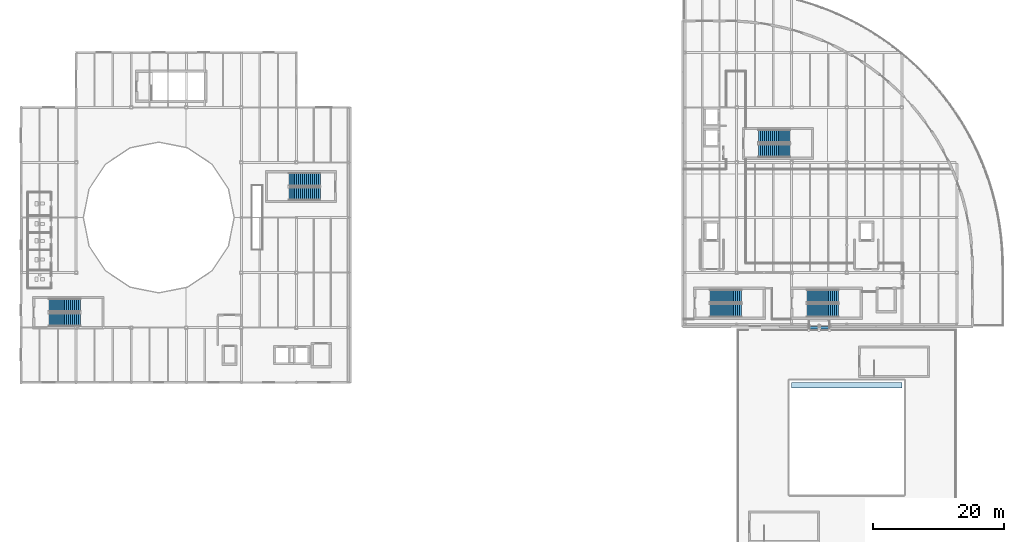
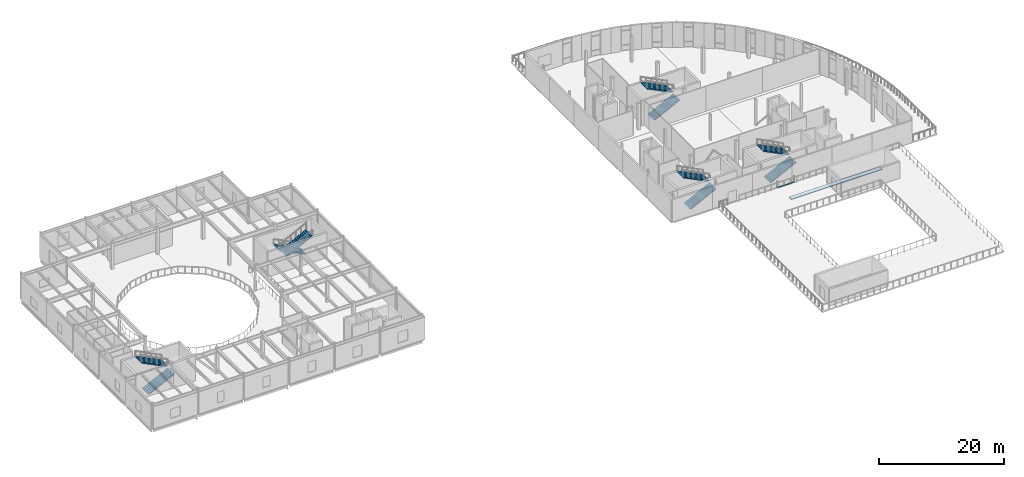
# One storey, part 38 of 57: 10 stair flights, 1 discrete accessory, 1 roof, 5 elements without a shape of their own.
"""IFC4 building model written with IfcOpenShell, lengths in metres."""

import ifcopenshell
import ifcopenshell.guid

model = None  # the IFC model being written
_history = None  # IfcOwnerHistory: only IFC2X3 demands one
_inside = {}  # id of a spatial element -> (the spatial element, [elements in it])
_under = {}  # id of a project, library or spatial element -> (it, [spatial elements below it])
_declared = {}  # id of a project -> (the project, [libraries it declares])
_typed = {}  # id of a type object -> (the type object, [elements of that type])
_made_of = {}  # id of a material, layer set ... -> (it, [elements and type objects made of it])


def new_model(schema):
    """Start an empty IFC model of exactly this schema.

    Asked for "IFC4X3", IfcOpenShell would pick the latest addendum, in which some entities
    have other attributes; the version numbers below select the first issue.
    IFC2X3 requires an IfcOwnerHistory on every rooted entity: one is made here for all.
    """
    global model, _history
    if schema == "IFC4X3":
        model = ifcopenshell.file(schema_version=(4, 3, 0, 0))
    else:
        model = ifcopenshell.file(schema=schema)
    _inside.clear()
    _under.clear()
    _declared.clear()
    _typed.clear()
    _made_of.clear()
    _history = None
    if model.schema == "IFC2X3":
        org = make("IfcOrganization", Name="unknown")
        user = make(
            "IfcPersonAndOrganization",
            ThePerson=make("IfcPerson", FamilyName="unknown"),
            TheOrganization=org,
        )
        app = make(
            "IfcApplication",
            ApplicationDeveloper=org,
            Version="unknown",
            ApplicationFullName="unknown",
            ApplicationIdentifier="unknown",
        )
        _history = make(
            "IfcOwnerHistory",
            OwningUser=user,
            OwningApplication=app,
            ChangeAction="ADDED",
            CreationDate=0,
        )
    return model


def make(cls, **values):
    """One entity of the class cls with the attributes given. An attribute that is None is left unset."""
    return model.create_entity(
        cls, **{name: value for name, value in values.items() if value is not None}
    )


def rooted(cls, **values):
    """An entity with a GlobalId (a new one), such as an element, a storey or a relation."""
    return make(cls, GlobalId=ifcopenshell.guid.new(), OwnerHistory=_history, **values)


def si_unit(unit_type, name, prefix=None):
    """IfcSIUnit, for example si_unit("LENGTHUNIT", "METRE", prefix="MILLI")."""
    return make("IfcSIUnit", UnitType=unit_type, Prefix=prefix, Name=name)


def assignment(units):
    """IfcUnitAssignment: the units of a project."""
    return None if units is None else make("IfcUnitAssignment", Units=units)


def point(xyz):
    """IfcCartesianPoint."""
    return None if xyz is None else make("IfcCartesianPoint", Coordinates=xyz)


def direction(xyz):
    """IfcDirection."""
    return None if xyz is None else make("IfcDirection", DirectionRatios=xyz)


def frame(location, z_axis=None, x_axis=None):
    """IfcAxis2Placement3D, a coordinate frame: its origin and axes. An axis left out is left unset."""
    return make(
        "IfcAxis2Placement3D",
        Location=point(location),
        Axis=direction(z_axis),
        RefDirection=direction(x_axis),
    )


def frame_2d(location, x_axis=None):
    """IfcAxis2Placement2D, a coordinate frame in the plane: its origin and x axis."""
    return make(
        "IfcAxis2Placement2D", Location=point(location), RefDirection=direction(x_axis)
    )


def origin():
    """The frame at (0, 0, 0) with its axes left unset."""
    return frame((0.0, 0.0, 0.0))


def origin_2d():
    """The frame at (0, 0) in the plane with its x axis left unset."""
    return frame_2d((0.0, 0.0))


def place(relative_to, where):
    """IfcLocalPlacement: puts the frame where relative to a parent placement (None: the world)."""
    return make(
        "IfcLocalPlacement", PlacementRelTo=relative_to, RelativePlacement=where
    )


def context(
    kind, dimensions, precision=None, world=None, true_north=None, identifier=None
):
    """IfcGeometricRepresentationContext, for example the 3D "Model" context."""
    return make(
        "IfcGeometricRepresentationContext",
        ContextIdentifier=identifier,
        ContextType=kind,
        CoordinateSpaceDimension=dimensions,
        Precision=precision,
        WorldCoordinateSystem=world,
        TrueNorth=true_north,
    )


def subcontext(parent, identifier, kind, view, scale=None):
    """IfcGeometricRepresentationSubContext, for example "Body" below "Model"."""
    return make(
        "IfcGeometricRepresentationSubContext",
        ContextIdentifier=identifier,
        ContextType=kind,
        ParentContext=parent,
        TargetScale=scale,
        TargetView=view,
    )


def project(units=None, contexts=None):
    """IfcProject with its units and contexts."""
    return rooted(
        "IfcProject",
        Name="project",
        RepresentationContexts=contexts,
        UnitsInContext=assignment(units),
    )


def spatial(cls, under=None, at=None, **own):
    """A site, building, storey or space (cls), placed at a placement, below another one or the project."""
    s = rooted(cls, ObjectPlacement=at, **own)
    if under is not None:
        _under.setdefault(under.id(), (under, []))[1].append(s)
    return s


def polyline(points):
    """IfcPolyline through the points."""
    return make("IfcPolyline", Points=[point(p) for p in points])


def profile(cls, at=None, kind="AREA", **sizes):
    """A parametric profile (cls). Its sizes go by their IFC names, for example OverallWidth=200.0."""
    return make(cls, ProfileType=kind, Position=at, **sizes)


def rectangle(**sizes):
    """IfcRectangleProfileDef."""
    return profile("IfcRectangleProfileDef", **sizes)


def outline(outer, holes=None, kind="AREA"):
    """IfcArbitraryClosedProfileDef: a profile drawn as a closed curve; with holes, ...WithVoids."""
    if holes is None:
        return make("IfcArbitraryClosedProfileDef", ProfileType=kind, OuterCurve=outer)
    return make(
        "IfcArbitraryProfileDefWithVoids",
        ProfileType=kind,
        OuterCurve=outer,
        InnerCurves=holes,
    )


def extrude(swept, where, along, depth):
    """IfcExtrudedAreaSolid: the profile swept, set in the frame where, extruded along a direction by depth."""
    return make(
        "IfcExtrudedAreaSolid",
        SweptArea=swept,
        Position=where,
        ExtrudedDirection=direction(along),
        Depth=depth,
    )


def shape(context_of_items, identifier, shape_type, items):
    """IfcShapeRepresentation: the items that make up one representation, for example the "Body"."""
    return make(
        "IfcShapeRepresentation",
        ContextOfItems=context_of_items,
        RepresentationIdentifier=identifier,
        RepresentationType=shape_type,
        Items=items,
    )


def material(Name=None, Category=None):
    """IfcMaterial."""
    return make("IfcMaterial", Name=Name, Category=Category)


def layer(
    of_material, thickness, ventilated=None, Name=None, Category=None, Priority=None
):
    """IfcMaterialLayer: one layer of a wall or slab, of a material (None: an air gap)."""
    return make(
        "IfcMaterialLayer",
        Material=of_material,
        LayerThickness=thickness,
        IsVentilated=ventilated,
        Name=Name,
        Category=Category,
        Priority=Priority,
    )


def layer_set(layers, Name=None):
    """IfcMaterialLayerSet."""
    return make("IfcMaterialLayerSet", MaterialLayers=layers, LayerSetName=Name)


def made_of(thing, what):
    """Note that an element or type object is made of a material, layer set ...; save() writes the relation."""
    if what is not None:
        _made_of.setdefault(what.id(), (what, []))[1].append(thing)
    return thing


def type_object(cls, material=None, **own):
    """A type object (cls), such as IfcWallType, which elements share."""
    return made_of(rooted(cls, **own), material)


def element(
    cls,
    number,
    at=None,
    inside=None,
    cuts=None,
    type_object=None,
    material=None,
    context=None,
    identifier="Body",
    shape_type=None,
    held_by="IfcProductDefinitionShape",
    body=None,
    shapes=None,
    **own,
):
    """One element of the class cls, such as IfcWall. Its Tag is "e" and its number.

    at: its placement. inside: the storey or other place that contains it. cuts: it is an
    opening in that element (IfcRelVoidsElement). A single representation is given by context,
    identifier, shape_type and body (its items); several are given by shapes. held_by: the class
    of the entity that holds the representations. save() writes the other relations.
    """
    e = rooted(cls, Tag="e%d" % number, ObjectPlacement=at, **own)
    if body is not None:
        shapes = [shape(context, identifier, shape_type, body)]
    if shapes is not None:
        e.Representation = make(held_by, Representations=shapes)
    if inside is not None:
        _inside.setdefault(inside.id(), (inside, []))[1].append(e)
    if cuts is not None:
        rooted(
            "IfcRelVoidsElement", RelatingBuildingElement=cuts, RelatedOpeningElement=e
        )
    if type_object is not None:
        _typed.setdefault(type_object.id(), (type_object, []))[1].append(e)
    return made_of(e, material)


def aggregate(whole, parts):
    """IfcRelAggregates: a whole, such as a stair, and the parts it consists of."""
    return rooted("IfcRelAggregates", RelatingObject=whole, RelatedObjects=parts)


def save(model, path):
    """Write the relations noted so far, then the file.

    IfcRelAggregates (storeys below a building ...), IfcRelContainedInSpatialStructure (elements
    in a storey), IfcRelDefinesByType, IfcRelAssociatesMaterial and IfcRelDeclares: one each for
    every whole, place, type object, material and project.
    """
    for whole, parts in _under.values():
        aggregate(whole, parts)
    for where, things in _inside.values():
        rooted(
            "IfcRelContainedInSpatialStructure",
            RelatedElements=things,
            RelatingStructure=where,
        )
    for kind, things in _typed.values():
        rooted("IfcRelDefinesByType", RelatedObjects=things, RelatingType=kind)
    for what, things in _made_of.values():
        rooted("IfcRelAssociatesMaterial", RelatedObjects=things, RelatingMaterial=what)
    for by, libraries in _declared.values():
        rooted("IfcRelDeclares", RelatingContext=by, RelatedDefinitions=libraries)
    model.write(path)


model = new_model("IFC4")

# Units and contexts
model_context = context("Model", 3, precision=1e-05, world=origin(), true_north=direction((0.0, 1.0)))
body_context = subcontext(model_context, "Body", "Model", "MODEL_VIEW")
ifc_project = project(units=[si_unit("LENGTHUNIT", "METRE"), si_unit("AREAUNIT", "SQUARE_METRE"), si_unit("VOLUMEUNIT", "CUBIC_METRE"), si_unit("PLANEANGLEUNIT", "RADIAN"), si_unit("MASSUNIT", "GRAM", prefix="KILO"), si_unit("THERMODYNAMICTEMPERATUREUNIT", "KELVIN")], contexts=[model_context])

# Site, building, storey
site_placement = place(None, origin())
site = spatial("IfcSite", under=ifc_project, at=site_placement, CompositionType="ELEMENT")
building_placement = place(site_placement, origin())
building = spatial("IfcBuilding", under=site, at=building_placement, Name="Lustrewick Department Store", CompositionType="ELEMENT")
storey_placement = place(building_placement, frame((0.0, 0.0, 26.699951171875)))
storey = spatial("IfcBuildingStorey", under=building, at=storey_placement, Name="L06", CompositionType="ELEMENT", Elevation=26.699951171875)

# Stair, stair flights
ifc_material_1 = material(Name="Concrete C30", Category="concrete")
stair_type = type_object("IfcStairType", Name="ST-H51", PredefinedType="HALF_TURN_STAIR", material=ifc_material_1)
stair_1_placement = place(storey_placement, origin())
stair_1 = element("IfcStair", 1, at=stair_1_placement, inside=storey, type_object=stair_type, Name="L06 Smoke-Proof Exit Stair ST01", PredefinedType="HALF_TURN_STAIR")
stair_flight_type = type_object("IfcStairFlightType", Name="SF-H51", PredefinedType="STRAIGHT", material=ifc_material_1)
stair_flight_1_placement = place(storey_placement, frame((12.64990234375, 51.60009765625, 0.0), z_axis=(0.0, 0.0, 1.0), x_axis=(1.0, 0.0, 0.0)))
stair_flight_1 = element("IfcStairFlight", 2, at=stair_flight_1_placement, type_object=stair_flight_type, Name="ST-H51 flight 1", NumberOfRisers=17, NumberOfTreads=16, PredefinedType="STRAIGHT", RiserHeight=0.15, TreadLength=0.3, context=body_context, shape_type="SweptSolid", body=[
    extrude(outline(polyline([(0.0, 0.0), (0.0, 0.14990234375), (0.300048828125, 0.14990234375), (0.300048828125, 0.300048828125), (0.60009765625, 0.300048828125), (0.60009765625, 0.449951171875), (0.89990234375, 0.449951171875), (0.89990234375, 0.60009765625), (1.199951171875, 0.60009765625), (1.199951171875, 0.75), (1.5, 0.75), (1.5, 0.89990234375), (1.800048828125, 0.89990234375), (1.800048828125, 1.050048828125), (2.10009765625, 1.050048828125), (2.10009765625, 1.199951171875), (2.39990234375, 1.199951171875), (2.39990234375, 1.35009765625), (2.699951171875, 1.35009765625), (2.699951171875, 1.5), (3.0, 1.5), (3.0, 1.64990234375), (3.300048828125, 1.64990234375), (3.300048828125, 1.800048828125), (3.60009765625, 1.800048828125), (3.60009765625, 1.949951171875), (3.89990234375, 1.949951171875), (3.89990234375, 2.10009765625), (4.199951171875, 2.10009765625), (4.199951171875, 2.25), (4.5, 2.25), (4.5, 2.39990234375), (4.800048828125, 2.39990234375), (4.800048828125, 2.550048828125), (4.800048828125, 2.22119140625), (0.357666015625, 0.0), (0.0, 0.0)])), frame((0.0, 1.0, 0.0), z_axis=(0.0, -1.0, 0.0), x_axis=(1.0, 0.0, 0.0)), (0.0, 0.0, 1.0), 2.0),
])
stair_flight_2_placement = place(storey_placement, frame((17.449951171875, 53.800048828125, 2.550048828125), z_axis=(0.0, 0.0, 1.0), x_axis=(-1.0, 0.0, 0.0)))
stair_flight_2 = element("IfcStairFlight", 3, at=stair_flight_2_placement, type_object=stair_flight_type, Name="ST-H51 flight 2", NumberOfRisers=17, NumberOfTreads=16, PredefinedType="STRAIGHT", RiserHeight=0.15, TreadLength=0.3, context=body_context, shape_type="SweptSolid", body=[
    extrude(outline(polyline([(0.0, 0.0), (0.0, 0.14990234375), (0.300048828125, 0.14990234375), (0.300048828125, 0.300048828125), (0.60009765625, 0.300048828125), (0.60009765625, 0.449951171875), (0.89990234375, 0.449951171875), (0.89990234375, 0.60009765625), (1.199951171875, 0.60009765625), (1.199951171875, 0.75), (1.5, 0.75), (1.5, 0.89990234375), (1.800048828125, 0.89990234375), (1.800048828125, 1.050048828125), (2.10009765625, 1.050048828125), (2.10009765625, 1.199951171875), (2.39990234375, 1.199951171875), (2.39990234375, 1.35009765625), (2.699951171875, 1.35009765625), (2.699951171875, 1.5), (3.0, 1.5), (3.0, 1.64990234375), (3.300048828125, 1.64990234375), (3.300048828125, 1.800048828125), (3.60009765625, 1.800048828125), (3.60009765625, 1.949951171875), (3.89990234375, 1.949951171875), (3.89990234375, 2.10009765625), (4.199951171875, 2.10009765625), (4.199951171875, 2.25), (4.5, 2.25), (4.5, 2.39990234375), (4.800048828125, 2.39990234375), (4.800048828125, 2.550048828125), (4.800048828125, 2.22119140625), (0.357666015625, 0.0), (0.0, 0.0)])), frame((0.0, 1.0, 0.0), z_axis=(0.0, -1.0, 0.0), x_axis=(1.0, 0.0, 0.0)), (0.0, 0.0, 1.0), 2.0),
])
aggregate(stair_1, [stair_flight_1, stair_flight_2])

stair_2_placement = place(storey_placement, origin())
stair_2 = element("IfcStair", 4, at=stair_2_placement, inside=storey, type_object=stair_type, Name="L06 Smoke-Proof Exit Stair ST02", PredefinedType="HALF_TURN_STAIR")
stair_flight_3_placement = place(storey_placement, frame((54.050048828125, 73.0, 0.0), z_axis=(0.0, 0.0, 1.0), x_axis=(-1.0, 0.0, 0.0)))
stair_flight_3 = element("IfcStairFlight", 5, at=stair_flight_3_placement, type_object=stair_flight_type, Name="ST-H51 flight 1", NumberOfRisers=17, NumberOfTreads=16, PredefinedType="STRAIGHT", RiserHeight=0.15, TreadLength=0.3, context=body_context, shape_type="SweptSolid", body=[
    extrude(outline(polyline([(0.0, 0.0), (0.0, 0.14990234375), (0.300048828125, 0.14990234375), (0.300048828125, 0.300048828125), (0.60009765625, 0.300048828125), (0.60009765625, 0.449951171875), (0.89990234375, 0.449951171875), (0.89990234375, 0.60009765625), (1.199951171875, 0.60009765625), (1.199951171875, 0.75), (1.5, 0.75), (1.5, 0.89990234375), (1.800048828125, 0.89990234375), (1.800048828125, 1.050048828125), (2.10009765625, 1.050048828125), (2.10009765625, 1.199951171875), (2.39990234375, 1.199951171875), (2.39990234375, 1.35009765625), (2.699951171875, 1.35009765625), (2.699951171875, 1.5), (3.0, 1.5), (3.0, 1.64990234375), (3.300048828125, 1.64990234375), (3.300048828125, 1.800048828125), (3.60009765625, 1.800048828125), (3.60009765625, 1.949951171875), (3.89990234375, 1.949951171875), (3.89990234375, 2.10009765625), (4.199951171875, 2.10009765625), (4.199951171875, 2.25), (4.5, 2.25), (4.5, 2.39990234375), (4.800048828125, 2.39990234375), (4.800048828125, 2.550048828125), (4.800048828125, 2.22119140625), (0.357666015625, 0.0), (0.0, 0.0)])), frame((0.0, 1.0, 0.0), z_axis=(0.0, -1.0, 0.0), x_axis=(1.0, 0.0, 0.0)), (0.0, 0.0, 1.0), 2.0),
])
stair_flight_4_placement = place(storey_placement, frame((49.25, 70.800048828125, 2.550048828125), z_axis=(0.0, 0.0, 1.0), x_axis=(1.0, 0.0, 0.0)))
stair_flight_4 = element("IfcStairFlight", 6, at=stair_flight_4_placement, type_object=stair_flight_type, Name="ST-H51 flight 2", NumberOfRisers=17, NumberOfTreads=16, PredefinedType="STRAIGHT", RiserHeight=0.15, TreadLength=0.3, context=body_context, shape_type="SweptSolid", body=[
    extrude(outline(polyline([(0.0, 0.0), (0.0, 0.14990234375), (0.300048828125, 0.14990234375), (0.300048828125, 0.300048828125), (0.60009765625, 0.300048828125), (0.60009765625, 0.449951171875), (0.89990234375, 0.449951171875), (0.89990234375, 0.60009765625), (1.199951171875, 0.60009765625), (1.199951171875, 0.75), (1.5, 0.75), (1.5, 0.89990234375), (1.800048828125, 0.89990234375), (1.800048828125, 1.050048828125), (2.10009765625, 1.050048828125), (2.10009765625, 1.199951171875), (2.39990234375, 1.199951171875), (2.39990234375, 1.35009765625), (2.699951171875, 1.35009765625), (2.699951171875, 1.5), (3.0, 1.5), (3.0, 1.64990234375), (3.300048828125, 1.64990234375), (3.300048828125, 1.800048828125), (3.60009765625, 1.800048828125), (3.60009765625, 1.949951171875), (3.89990234375, 1.949951171875), (3.89990234375, 2.10009765625), (4.199951171875, 2.10009765625), (4.199951171875, 2.25), (4.5, 2.25), (4.5, 2.39990234375), (4.800048828125, 2.39990234375), (4.800048828125, 2.550048828125), (4.800048828125, 2.22119140625), (0.357666015625, 0.0), (0.0, 0.0)])), frame((0.0, 1.0, 0.0), z_axis=(0.0, -1.0, 0.0), x_axis=(1.0, 0.0, 0.0)), (0.0, 0.0, 1.0), 2.0),
])
aggregate(stair_2, [stair_flight_3, stair_flight_4])

stair_3_placement = place(storey_placement, origin())
stair_3 = element("IfcStair", 7, at=stair_3_placement, inside=storey, type_object=stair_type, Name="L06 Smoke-Proof Exit Stair ST09", PredefinedType="HALF_TURN_STAIR")
stair_flight_5_placement = place(storey_placement, frame((113.550048828125, 53.0, 0.0), z_axis=(0.0, 0.0, 1.0), x_axis=(1.0, 0.0, 0.0)))
stair_flight_5 = element("IfcStairFlight", 8, at=stair_flight_5_placement, type_object=stair_flight_type, Name="ST-H51 flight 1", NumberOfRisers=17, NumberOfTreads=16, PredefinedType="STRAIGHT", RiserHeight=0.15, TreadLength=0.3, context=body_context, shape_type="SweptSolid", body=[
    extrude(outline(polyline([(0.0, 0.0), (0.0, 0.14990234375), (0.300048828125, 0.14990234375), (0.300048828125, 0.300048828125), (0.60009765625, 0.300048828125), (0.60009765625, 0.449951171875), (0.89990234375, 0.449951171875), (0.89990234375, 0.60009765625), (1.199951171875, 0.60009765625), (1.199951171875, 0.75), (1.5, 0.75), (1.5, 0.89990234375), (1.800048828125, 0.89990234375), (1.800048828125, 1.050048828125), (2.10009765625, 1.050048828125), (2.10009765625, 1.199951171875), (2.39990234375, 1.199951171875), (2.39990234375, 1.35009765625), (2.699951171875, 1.35009765625), (2.699951171875, 1.5), (3.0, 1.5), (3.0, 1.64990234375), (3.300048828125, 1.64990234375), (3.300048828125, 1.800048828125), (3.60009765625, 1.800048828125), (3.60009765625, 1.949951171875), (3.89990234375, 1.949951171875), (3.89990234375, 2.10009765625), (4.199951171875, 2.10009765625), (4.199951171875, 2.25), (4.5, 2.25), (4.5, 2.39990234375), (4.800048828125, 2.39990234375), (4.800048828125, 2.550048828125), (4.800048828125, 2.22119140625), (0.357666015625, 0.0), (0.0, 0.0)])), frame((0.0, 1.0, 0.0), z_axis=(0.0, -1.0, 0.0), x_axis=(1.0, 0.0, 0.0)), (0.0, 0.0, 1.0), 2.0),
])
stair_flight_6_placement = place(storey_placement, frame((118.35009765625, 55.199951171875, 2.550048828125), z_axis=(0.0, 0.0, 1.0), x_axis=(-1.0, 0.0, 0.0)))
stair_flight_6 = element("IfcStairFlight", 9, at=stair_flight_6_placement, type_object=stair_flight_type, Name="ST-H51 flight 2", NumberOfRisers=17, NumberOfTreads=16, PredefinedType="STRAIGHT", RiserHeight=0.15, TreadLength=0.3, context=body_context, shape_type="SweptSolid", body=[
    extrude(outline(polyline([(0.0, 0.0), (0.0, 0.14990234375), (0.300048828125, 0.14990234375), (0.300048828125, 0.300048828125), (0.60009765625, 0.300048828125), (0.60009765625, 0.449951171875), (0.89990234375, 0.449951171875), (0.89990234375, 0.60009765625), (1.199951171875, 0.60009765625), (1.199951171875, 0.75), (1.5, 0.75), (1.5, 0.89990234375), (1.800048828125, 0.89990234375), (1.800048828125, 1.050048828125), (2.10009765625, 1.050048828125), (2.10009765625, 1.199951171875), (2.39990234375, 1.199951171875), (2.39990234375, 1.35009765625), (2.699951171875, 1.35009765625), (2.699951171875, 1.5), (3.0, 1.5), (3.0, 1.64990234375), (3.300048828125, 1.64990234375), (3.300048828125, 1.800048828125), (3.60009765625, 1.800048828125), (3.60009765625, 1.949951171875), (3.89990234375, 1.949951171875), (3.89990234375, 2.10009765625), (4.199951171875, 2.10009765625), (4.199951171875, 2.25), (4.5, 2.25), (4.5, 2.39990234375), (4.800048828125, 2.39990234375), (4.800048828125, 2.550048828125), (4.800048828125, 2.22119140625), (0.357666015625, 0.0), (0.0, 0.0)])), frame((0.0, 1.0, 0.0), z_axis=(0.0, -1.0, 0.0), x_axis=(1.0, 0.0, 0.0)), (0.0, 0.0, 1.0), 2.0),
])
aggregate(stair_3, [stair_flight_5, stair_flight_6])

stair_4_placement = place(storey_placement, origin())
stair_4 = element("IfcStair", 10, at=stair_4_placement, inside=storey, type_object=stair_type, Name="L06 Smoke-Proof Exit Stair ST10", PredefinedType="HALF_TURN_STAIR")
stair_flight_7_placement = place(storey_placement, frame((120.949951171875, 77.39990234375, 0.0), z_axis=(0.0, 0.0, 1.0), x_axis=(1.0, 0.0, 0.0)))
stair_flight_7 = element("IfcStairFlight", 11, at=stair_flight_7_placement, type_object=stair_flight_type, Name="ST-H51 flight 1", NumberOfRisers=17, NumberOfTreads=16, PredefinedType="STRAIGHT", RiserHeight=0.15, TreadLength=0.3, context=body_context, shape_type="SweptSolid", body=[
    extrude(outline(polyline([(0.0, 0.0), (0.0, 0.14990234375), (0.300048828125, 0.14990234375), (0.300048828125, 0.300048828125), (0.60009765625, 0.300048828125), (0.60009765625, 0.449951171875), (0.89990234375, 0.449951171875), (0.89990234375, 0.60009765625), (1.199951171875, 0.60009765625), (1.199951171875, 0.75), (1.5, 0.75), (1.5, 0.89990234375), (1.800048828125, 0.89990234375), (1.800048828125, 1.050048828125), (2.10009765625, 1.050048828125), (2.10009765625, 1.199951171875), (2.39990234375, 1.199951171875), (2.39990234375, 1.35009765625), (2.699951171875, 1.35009765625), (2.699951171875, 1.5), (3.0, 1.5), (3.0, 1.64990234375), (3.300048828125, 1.64990234375), (3.300048828125, 1.800048828125), (3.60009765625, 1.800048828125), (3.60009765625, 1.949951171875), (3.89990234375, 1.949951171875), (3.89990234375, 2.10009765625), (4.199951171875, 2.10009765625), (4.199951171875, 2.25), (4.5, 2.25), (4.5, 2.39990234375), (4.800048828125, 2.39990234375), (4.800048828125, 2.550048828125), (4.800048828125, 2.22119140625), (0.357666015625, 0.0), (0.0, 0.0)])), frame((0.0, 1.0, 0.0), z_axis=(0.0, -1.0, 0.0), x_axis=(1.0, 0.0, 0.0)), (0.0, 0.0, 1.0), 2.0),
])
stair_flight_8_placement = place(storey_placement, frame((125.75, 79.60009765625, 2.550048828125), z_axis=(0.0, 0.0, 1.0), x_axis=(-1.0, 0.0, 0.0)))
stair_flight_8 = element("IfcStairFlight", 12, at=stair_flight_8_placement, type_object=stair_flight_type, Name="ST-H51 flight 2", NumberOfRisers=17, NumberOfTreads=16, PredefinedType="STRAIGHT", RiserHeight=0.15, TreadLength=0.3, context=body_context, shape_type="SweptSolid", body=[
    extrude(outline(polyline([(0.0, 0.0), (0.0, 0.14990234375), (0.300048828125, 0.14990234375), (0.300048828125, 0.300048828125), (0.60009765625, 0.300048828125), (0.60009765625, 0.449951171875), (0.89990234375, 0.449951171875), (0.89990234375, 0.60009765625), (1.199951171875, 0.60009765625), (1.199951171875, 0.75), (1.5, 0.75), (1.5, 0.89990234375), (1.800048828125, 0.89990234375), (1.800048828125, 1.050048828125), (2.10009765625, 1.050048828125), (2.10009765625, 1.199951171875), (2.39990234375, 1.199951171875), (2.39990234375, 1.35009765625), (2.699951171875, 1.35009765625), (2.699951171875, 1.5), (3.0, 1.5), (3.0, 1.64990234375), (3.300048828125, 1.64990234375), (3.300048828125, 1.800048828125), (3.60009765625, 1.800048828125), (3.60009765625, 1.949951171875), (3.89990234375, 1.949951171875), (3.89990234375, 2.10009765625), (4.199951171875, 2.10009765625), (4.199951171875, 2.25), (4.5, 2.25), (4.5, 2.39990234375), (4.800048828125, 2.39990234375), (4.800048828125, 2.550048828125), (4.800048828125, 2.22119140625), (0.357666015625, 0.0), (0.0, 0.0)])), frame((0.0, 1.0, 0.0), z_axis=(0.0, -1.0, 0.0), x_axis=(1.0, 0.0, 0.0)), (0.0, 0.0, 1.0), 2.0),
])
aggregate(stair_4, [stair_flight_7, stair_flight_8])

stair_5_placement = place(storey_placement, origin())
stair_5 = element("IfcStair", 13, at=stair_5_placement, inside=storey, type_object=stair_type, Name="L06 Smoke-Proof Exit Stair ST11", PredefinedType="HALF_TURN_STAIR")
stair_flight_9_placement = place(storey_placement, frame((128.35009765625, 53.0, 0.0), z_axis=(0.0, 0.0, 1.0), x_axis=(1.0, 0.0, 0.0)))
stair_flight_9 = element("IfcStairFlight", 14, at=stair_flight_9_placement, type_object=stair_flight_type, Name="ST-H51 flight 1", NumberOfRisers=17, NumberOfTreads=16, PredefinedType="STRAIGHT", RiserHeight=0.15, TreadLength=0.3, context=body_context, shape_type="SweptSolid", body=[
    extrude(outline(polyline([(0.0, 0.0), (0.0, 0.14990234375), (0.300048828125, 0.14990234375), (0.300048828125, 0.300048828125), (0.60009765625, 0.300048828125), (0.60009765625, 0.449951171875), (0.89990234375, 0.449951171875), (0.89990234375, 0.60009765625), (1.199951171875, 0.60009765625), (1.199951171875, 0.75), (1.5, 0.75), (1.5, 0.89990234375), (1.800048828125, 0.89990234375), (1.800048828125, 1.050048828125), (2.10009765625, 1.050048828125), (2.10009765625, 1.199951171875), (2.39990234375, 1.199951171875), (2.39990234375, 1.35009765625), (2.699951171875, 1.35009765625), (2.699951171875, 1.5), (3.0, 1.5), (3.0, 1.64990234375), (3.300048828125, 1.64990234375), (3.300048828125, 1.800048828125), (3.60009765625, 1.800048828125), (3.60009765625, 1.949951171875), (3.89990234375, 1.949951171875), (3.89990234375, 2.10009765625), (4.199951171875, 2.10009765625), (4.199951171875, 2.25), (4.5, 2.25), (4.5, 2.39990234375), (4.800048828125, 2.39990234375), (4.800048828125, 2.550048828125), (4.800048828125, 2.22119140625), (0.357666015625, 0.0), (0.0, 0.0)])), frame((0.0, 1.0, 0.0), z_axis=(0.0, -1.0, 0.0), x_axis=(1.0, 0.0, 0.0)), (0.0, 0.0, 1.0), 2.0),
])
stair_flight_10_placement = place(storey_placement, frame((133.14990234375, 55.199951171875, 2.550048828125), z_axis=(0.0, 0.0, 1.0), x_axis=(-1.0, 0.0, 0.0)))
stair_flight_10 = element("IfcStairFlight", 15, at=stair_flight_10_placement, type_object=stair_flight_type, Name="ST-H51 flight 2", NumberOfRisers=17, NumberOfTreads=16, PredefinedType="STRAIGHT", RiserHeight=0.15, TreadLength=0.3, context=body_context, shape_type="SweptSolid", body=[
    extrude(outline(polyline([(0.0, 0.0), (0.0, 0.14990234375), (0.300048828125, 0.14990234375), (0.300048828125, 0.300048828125), (0.60009765625, 0.300048828125), (0.60009765625, 0.449951171875), (0.89990234375, 0.449951171875), (0.89990234375, 0.60009765625), (1.199951171875, 0.60009765625), (1.199951171875, 0.75), (1.5, 0.75), (1.5, 0.89990234375), (1.800048828125, 0.89990234375), (1.800048828125, 1.050048828125), (2.10009765625, 1.050048828125), (2.10009765625, 1.199951171875), (2.39990234375, 1.199951171875), (2.39990234375, 1.35009765625), (2.699951171875, 1.35009765625), (2.699951171875, 1.5), (3.0, 1.5), (3.0, 1.64990234375), (3.300048828125, 1.64990234375), (3.300048828125, 1.800048828125), (3.60009765625, 1.800048828125), (3.60009765625, 1.949951171875), (3.89990234375, 1.949951171875), (3.89990234375, 2.10009765625), (4.199951171875, 2.10009765625), (4.199951171875, 2.25), (4.5, 2.25), (4.5, 2.39990234375), (4.800048828125, 2.39990234375), (4.800048828125, 2.550048828125), (4.800048828125, 2.22119140625), (0.357666015625, 0.0), (0.0, 0.0)])), frame((0.0, 1.0, 0.0), z_axis=(0.0, -1.0, 0.0), x_axis=(1.0, 0.0, 0.0)), (0.0, 0.0, 1.0), 2.0),
])
aggregate(stair_5, [stair_flight_9, stair_flight_10])

# Roof
ifc_material_2 = material(Name="Concrete C35", Category="concrete")
ifc_layer = layer(ifc_material_2, 0.139892578125, Name="Concrete C35")
ifc_layer_set = layer_set([ifc_layer], Name="Concrete C35")
roof_type = type_object("IfcRoofType", Name="RF-LANT", PredefinedType="SHED_ROOF", material=ifc_layer_set)
roof_placement = place(storey_placement, frame((0.0, 0.0, 4.06005859375)))
element("IfcRoof", 16, at=roof_placement, inside=storey, type_object=roof_type, Name="V3 North-Light Culinary Lantern", PredefinedType="SHED_ROOF", context=body_context, shape_type="SweptSolid", body=[
    extrude(outline(polyline([(142.800048828125, 41.199951171875), (142.800048828125, 42.0), (126.0, 42.0), (126.0, 41.199951171875), (142.800048828125, 41.199951171875)])), origin(), (0.0, 0.0, 1.0), 0.139892578125),
])

# Discrete accessory
ifc_material_3 = material(Name="Structural steel Q355C", Category="steel")
discrete_accessory_type = type_object("IfcDiscreteAccessoryType", Name="SJC-01", PredefinedType="USERDEFINED", material=ifc_material_3)
discrete_accessory_placement = place(storey_placement, frame((130.199951171875, 50.39990234375, -0.02392578125), z_axis=(0.0, 0.0, 1.0), x_axis=(1.0, 0.0, 0.0)))
element("IfcDiscreteAccessory", 17, at=discrete_accessory_placement, inside=storey, type_object=discrete_accessory_type, Name="L06 Skybridge SB34 Flush Seismic Joint Cover Plate", ObjectType="SEISMIC_JOINT_COVER", PredefinedType="USERDEFINED", context=body_context, shape_type="SweptSolid", body=[
    extrude(rectangle(XDim=3.199951171875, YDim=0.360107421875, at=origin_2d()), origin(), (0.0, 0.0, 1.0), 0.02392578125),
])

save(model, "model.ifc")
